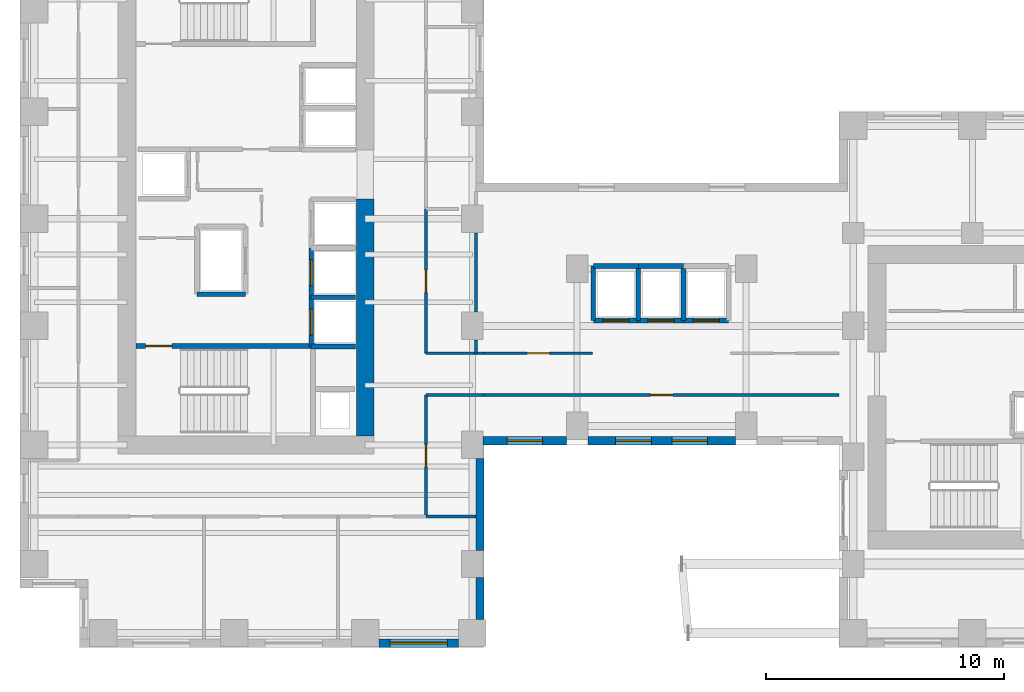
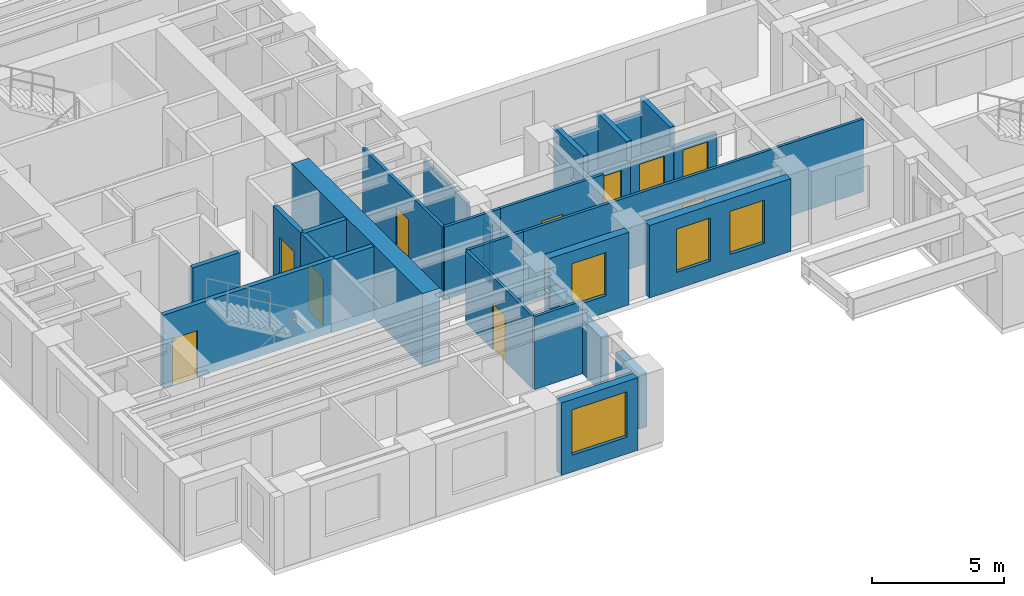
# One storey, part 7 of 14: 29 walls, 10 doors, 4 windows, 14 openings.
"""IFC4 building model written with IfcOpenShell, lengths in metres."""

from ifc_helpers import new_model, si_unit, direction, frame, frame_2d, origin, place, context, subcontext, project, spatial, rectangle, extrude, source, transform, mapped, material, layer, layer_set, type_object, element, fill, save


model = new_model("IFC4")

# Units and contexts
model_context = context("Model", 3, precision=1e-05, world=origin(), true_north=direction((0.0, 1.0)))
body_context = subcontext(model_context, "Body", "Model", "MODEL_VIEW")
ifc_project = project(units=[si_unit("LENGTHUNIT", "METRE"), si_unit("AREAUNIT", "SQUARE_METRE"), si_unit("VOLUMEUNIT", "CUBIC_METRE"), si_unit("PLANEANGLEUNIT", "RADIAN"), si_unit("MASSUNIT", "GRAM", prefix="KILO")], contexts=[model_context])

# Site, building, storey
site_placement = place(None, origin())
site = spatial("IfcSite", under=ifc_project, at=site_placement, CompositionType="ELEMENT")
building_placement = place(site_placement, origin())
building = spatial("IfcBuilding", under=site, at=building_placement, Name="Kharzan Plaza Tower", CompositionType="ELEMENT")
storey_placement = place(building_placement, frame((0.0, 0.0, 131.39990234375)))
storey = spatial("IfcBuildingStorey", under=building, at=storey_placement, Name="L35", CompositionType="ELEMENT", Elevation=131.39990234375)

# Wall, opening, window
ifc_material_1 = material(Name="Concrete C40/50", Category="concrete")
ifc_layer_1 = layer(ifc_material_1, 0.35009765625)
ifc_layer_set_1 = layer_set([ifc_layer_1], Name="Concrete C40/50")
wall_type_1 = type_object("IfcWallType", Name="WL-EXT-MAS-Z2", PredefinedType="SOLIDWALL", material=ifc_layer_set_1)
wall_1_placement = place(storey_placement, frame((15.072998046875, 0.175048828125, 0.0), z_axis=(0.0, 0.0, 1.0), x_axis=(1.0, 0.0, 0.0)))
wall_1 = element("IfcWall", 1, at=wall_1_placement, inside=storey, type_object=wall_type_1, Name="L35 Masonry-Frame Exterior Wall 31", PredefinedType="SOLIDWALL", context=body_context, shape_type="SweptSolid", body=[
    extrude(rectangle(XDim=3.35400390625, YDim=0.35009765625, at=frame_2d((1.677001953125, 0.0))), origin(), (0.0, 0.0, 1.0), 3.364990234375),
])
opening_1_placement = place(wall_1_placement, frame((0.47705078125, 0.0, 0.780029296875)))
opening_1 = element("IfcOpeningElement", 2, at=opening_1_placement, cuts=wall_1, Name="Opening W2", PredefinedType="OPENING", context=body_context, shape_type="SweptSolid", body=[
    extrude(rectangle(XDim=2.39990234375, YDim=2.10009765625, at=frame_2d((1.199951171875, 1.050048828125))), frame((0.0, 0.18505859375, 0.0), z_axis=(0.0, -1.0, 0.0), x_axis=(1.0, 0.0, 0.0)), (0.0, 0.0, 1.0), 0.3701171875),
])
ifc_material_2 = material(Name="Low-E Double Glazing", Category="glass")
window_type_1 = type_object("IfcWindowType", Name="WN-REC-2400x2100", PartitioningType="SINGLE_PANEL", PredefinedType="WINDOW", material=ifc_material_2)
shared_shape_1 = source(origin(), body_context, "Body", "SweptSolid", [
    extrude(rectangle(XDim=2.39990234375, YDim=2.10009765625, at=frame_2d((1.199951171875, 1.050048828125))), frame((0.0, 0.030029296875, 0.0), z_axis=(0.0, -1.0, 0.0), x_axis=(1.0, 0.0, 0.0)), (0.0, 0.0, 1.0), 0.06005859375),
])
window_1_placement = place(opening_1_placement, origin())
window_1 = element("IfcWindow", 3, at=window_1_placement, inside=storey, type_object=window_type_1, Name="L35 Wide Recessed Solar-Control Window 31-1", OverallHeight=2.10009765625, OverallWidth=2.39990234375, PartitioningType="SINGLE_PANEL", PredefinedType="WINDOW", context=body_context, shape_type="MappedRepresentation", body=[
    mapped(shared_shape_1, transform((0.0, 0.0, 0.0), x_axis=(1.0, 0.0, 0.0), y_axis=(0.0, 1.0, 0.0), z_axis=(0.0, 0.0, 1.0))),
])
fill(opening_1, window_1)

wall_2_placement = place(storey_placement, frame((19.447998046875, 8.675048828125, 0.0), z_axis=(0.0, 0.0, 1.0), x_axis=(1.0, 0.0, 0.0)))
wall_2 = element("IfcWall", 4, at=wall_2_placement, inside=storey, type_object=wall_type_1, Name="L35 Masonry-Frame Exterior Wall 34", PredefinedType="SOLIDWALL", context=body_context, shape_type="SweptSolid", body=[
    extrude(rectangle(XDim=3.50390625, YDim=0.35009765625, at=frame_2d((1.751953125, 0.0))), origin(), (0.0, 0.0, 1.0), 3.364990234375),
])
opening_2_placement = place(wall_2_placement, frame((1.001953125, 0.0, 0.780029296875)))
opening_2 = element("IfcOpeningElement", 5, at=opening_2_placement, cuts=wall_2, Name="Opening W5", PredefinedType="OPENING", context=body_context, shape_type="SweptSolid", body=[
    extrude(rectangle(XDim=1.5, YDim=2.0, at=frame_2d((0.75, 1.0))), frame((0.0, 0.18505859375, 0.0), z_axis=(0.0, -1.0, 0.0), x_axis=(1.0, 0.0, 0.0)), (0.0, 0.0, 1.0), 0.3701171875),
])
window_type_2 = type_object("IfcWindowType", Name="WN-SLT-1500x2000", PartitioningType="SINGLE_PANEL", PredefinedType="WINDOW", material=ifc_material_2)
shared_shape_2 = source(origin(), body_context, "Body", "SweptSolid", [
    extrude(rectangle(XDim=1.5, YDim=2.0, at=frame_2d((0.75, 1.0))), frame((0.0, 0.030029296875, 0.0), z_axis=(0.0, -1.0, 0.0), x_axis=(1.0, 0.0, 0.0)), (0.0, 0.0, 1.0), 0.06005859375),
])
window_2_placement = place(opening_2_placement, origin())
window_2 = element("IfcWindow", 6, at=window_2_placement, inside=storey, type_object=window_type_2, Name="L35 Recessed Solar-Control Window 34-1", OverallHeight=2.0, OverallWidth=1.5, PartitioningType="SINGLE_PANEL", PredefinedType="WINDOW", context=body_context, shape_type="MappedRepresentation", body=[
    mapped(shared_shape_2, transform((0.0, 0.0, 0.0), x_axis=(1.0, 0.0, 0.0), y_axis=(0.0, 1.0, 0.0), z_axis=(0.0, 0.0, 1.0))),
])
fill(opening_2, window_2)

# Wall, openings, windows
wall_3_placement = place(storey_placement, frame((23.847900390625, 8.675048828125, 0.0), z_axis=(0.0, 0.0, 1.0), x_axis=(1.0, 0.0, 0.0)))
wall_3 = element("IfcWall", 7, at=wall_3_placement, inside=storey, type_object=wall_type_1, Name="L35 Masonry-Frame Exterior Wall 35", PredefinedType="SOLIDWALL", context=body_context, shape_type="SweptSolid", body=[
    extrude(rectangle(XDim=6.2041015625, YDim=0.35009765625, at=frame_2d((3.10205078125, 0.0))), origin(), (0.0, 0.0, 1.0), 3.364990234375),
])
opening_3_placement = place(wall_3_placement, frame((1.1748046875, 0.0, 0.780029296875)))
opening_3 = element("IfcOpeningElement", 8, at=opening_3_placement, cuts=wall_3, Name="Opening W5", PredefinedType="OPENING", context=body_context, shape_type="SweptSolid", body=[
    extrude(rectangle(XDim=1.5, YDim=2.0, at=frame_2d((0.75, 1.0))), frame((0.0, 0.18505859375, 0.0), z_axis=(0.0, -1.0, 0.0), x_axis=(1.0, 0.0, 0.0)), (0.0, 0.0, 1.0), 0.3701171875),
])
opening_4_placement = place(wall_3_placement, frame((3.529296875, 0.0, 0.780029296875)))
opening_4 = element("IfcOpeningElement", 9, at=opening_4_placement, cuts=wall_3, Name="Opening W5", PredefinedType="OPENING", context=body_context, shape_type="SweptSolid", body=[
    extrude(rectangle(XDim=1.5, YDim=2.0, at=frame_2d((0.75, 1.0))), frame((0.0, 0.18505859375, 0.0), z_axis=(0.0, -1.0, 0.0), x_axis=(1.0, 0.0, 0.0)), (0.0, 0.0, 1.0), 0.3701171875),
])
window_3_placement = place(opening_3_placement, origin())
window_3 = element("IfcWindow", 10, at=window_3_placement, inside=storey, type_object=window_type_2, Name="L35 Recessed Solar-Control Window 35-1", OverallHeight=2.0, OverallWidth=1.5, PartitioningType="SINGLE_PANEL", PredefinedType="WINDOW", context=body_context, shape_type="MappedRepresentation", body=[
    mapped(shared_shape_2, transform((0.0, 0.0, 0.0), x_axis=(1.0, 0.0, 0.0), y_axis=(0.0, 1.0, 0.0), z_axis=(0.0, 0.0, 1.0))),
])
fill(opening_3, window_3)
window_4_placement = place(opening_4_placement, origin())
window_4 = element("IfcWindow", 11, at=window_4_placement, inside=storey, type_object=window_type_2, Name="L35 Recessed Solar-Control Window 35-2", OverallHeight=2.0, OverallWidth=1.5, PartitioningType="SINGLE_PANEL", PredefinedType="WINDOW", context=body_context, shape_type="MappedRepresentation", body=[
    mapped(shared_shape_2, transform((0.0, 0.0, 0.0), x_axis=(1.0, 0.0, 0.0), y_axis=(0.0, 1.0, 0.0), z_axis=(0.0, 0.0, 1.0))),
])
fill(opening_4, window_4)

# Wall, opening, door
ifc_material_3 = material(Name="Fire-Rated Gypsum Board Partition", Category="gypsum")
ifc_layer_2 = layer(ifc_material_3, 0.125)
ifc_layer_set_2 = layer_set([ifc_layer_2], Name="Fire-Rated Gypsum Board Partition")
wall_type_2 = type_object("IfcWallType", Name="WL-INT-PART-125", PredefinedType="PARTITIONING", material=ifc_layer_set_2)
wall_4_placement = place(storey_placement, frame((17.050048828125, 12.35009765625, 0.0), z_axis=(0.0, 0.0, 1.0), x_axis=(0.0, 1.0, 0.0)))
wall_4 = element("IfcWall", 12, at=wall_4_placement, inside=storey, type_object=wall_type_2, Name="L35 Interior Partition SH-AEWN1", PredefinedType="PARTITIONING", context=body_context, shape_type="SweptSolid", body=[
    extrude(rectangle(XDim=6.0498046875, YDim=0.125, at=frame_2d((3.02490234375, 0.0))), origin(), (0.0, 0.0, 1.0), 3.364990234375),
])
opening_5_placement = place(wall_4_placement, frame((2.550048828125, 0.0, 0.0)))
opening_5 = element("IfcOpeningElement", 13, at=opening_5_placement, cuts=wall_4, Name="Opening OD1", PredefinedType="OPENING", context=body_context, shape_type="SweptSolid", body=[
    extrude(rectangle(XDim=0.949951171875, YDim=2.14990234375, at=frame_2d((0.47509765625, 1.074951171875))), frame((0.0, 0.072509765625, 0.0), z_axis=(0.0, -1.0, 0.0), x_axis=(1.0, 0.0, 0.0)), (0.0, 0.0, 1.0), 0.14501953125),
])
ifc_material_4 = material(Name="Acoustic Solid-Core Stained Oak", Category="timber")
door_type_1 = type_object("IfcDoorType", Name="DR-OFF-SINGLE", OperationType="NOTDEFINED", PredefinedType="DOOR", material=ifc_material_4)
shared_shape_3 = source(origin(), body_context, "Body", "SweptSolid", [
    extrude(rectangle(XDim=0.949951171875, YDim=2.14990234375, at=frame_2d((0.47509765625, 1.074951171875))), frame((0.0, 0.02490234375, 0.0), z_axis=(0.0, -1.0, 0.0), x_axis=(1.0, 0.0, 0.0)), (0.0, 0.0, 1.0), 0.050048828125),
])
door_1_placement = place(opening_5_placement, origin())
door_1 = element("IfcDoor", 14, at=door_1_placement, inside=storey, type_object=door_type_1, Name="L35 Slot Collaboration Door", OperationType="SINGLE_SWING_RIGHT", OverallHeight=2.14990234375, OverallWidth=0.949951171875, PredefinedType="DOOR", context=body_context, shape_type="MappedRepresentation", body=[
    mapped(shared_shape_3, transform((0.0, 0.0, 0.0), x_axis=(1.0, 0.0, 0.0), y_axis=(0.0, 1.0, 0.0), z_axis=(0.0, 0.0, 1.0))),
])
fill(opening_5, door_1)

wall_5_placement = place(storey_placement, frame((17.050048828125, 5.5, 0.0), z_axis=(0.0, 0.0, 1.0), x_axis=(0.0, 1.0, 0.0)))
wall_5 = element("IfcWall", 15, at=wall_5_placement, inside=storey, type_object=wall_type_2, Name="L35 Interior Partition SH-AEWS", PredefinedType="PARTITIONING", context=body_context, shape_type="SweptSolid", body=[
    extrude(rectangle(XDim=5.10009765625, YDim=0.125, at=frame_2d((2.550048828125, 0.0))), origin(), (0.0, 0.0, 1.0), 3.364990234375),
])
opening_6_placement = place(wall_5_placement, frame((2.074951171875, 0.0, 0.0)))
opening_6 = element("IfcOpeningElement", 16, at=opening_6_placement, cuts=wall_5, Name="Opening OD1", PredefinedType="OPENING", context=body_context, shape_type="SweptSolid", body=[
    extrude(rectangle(XDim=0.949951171875, YDim=2.14990234375, at=frame_2d((0.47509765625, 1.074951171875))), frame((0.0, 0.072509765625, 0.0), z_axis=(0.0, -1.0, 0.0), x_axis=(1.0, 0.0, 0.0)), (0.0, 0.0, 1.0), 0.14501953125),
])
door_2_placement = place(opening_6_placement, origin())
door_2 = element("IfcDoor", 17, at=door_2_placement, inside=storey, type_object=door_type_1, Name="L35 Slot South Office Door", OperationType="SINGLE_SWING_LEFT", OverallHeight=2.14990234375, OverallWidth=0.949951171875, PredefinedType="DOOR", context=body_context, shape_type="MappedRepresentation", body=[
    mapped(shared_shape_3, transform((0.0, 0.0, 0.0), x_axis=(1.0, 0.0, 0.0), y_axis=(0.0, 1.0, 0.0), z_axis=(0.0, 0.0, 1.0))),
])
fill(opening_6, door_2)

wall_6_placement = place(storey_placement, frame((19.5, 12.35009765625, 0.0), z_axis=(0.0, 0.0, 1.0), x_axis=(1.0, 0.0, 0.0)))
wall_6 = element("IfcWall", 18, at=wall_6_placement, inside=storey, type_object=wall_type_2, Name="L35 Interior Partition SH-SPNW1", PredefinedType="PARTITIONING", context=body_context, shape_type="SweptSolid", body=[
    extrude(rectangle(XDim=4.550048828125, YDim=0.125, at=frame_2d((2.27490234375, 0.0))), origin(), (0.0, 0.0, 1.0), 3.364990234375),
])
opening_7_placement = place(wall_6_placement, frame((1.800048828125, 0.0, 0.0)))
opening_7 = element("IfcOpeningElement", 19, at=opening_7_placement, cuts=wall_6, Name="Opening OD1", PredefinedType="OPENING", context=body_context, shape_type="SweptSolid", body=[
    extrude(rectangle(XDim=0.949951171875, YDim=2.14990234375, at=frame_2d((0.47509765625, 1.074951171875))), frame((0.0, 0.072509765625, 0.0), z_axis=(0.0, -1.0, 0.0), x_axis=(1.0, 0.0, 0.0)), (0.0, 0.0, 1.0), 0.14501953125),
])
door_3_placement = place(opening_7_placement, origin())
door_3 = element("IfcDoor", 20, at=door_3_placement, inside=storey, type_object=door_type_1, Name="L35 North-West Spine Door", OperationType="SINGLE_SWING_LEFT", OverallHeight=2.14990234375, OverallWidth=0.949951171875, PredefinedType="DOOR", context=body_context, shape_type="MappedRepresentation", body=[
    mapped(shared_shape_3, transform((0.0, 0.0, 0.0), x_axis=(1.0, 0.0, 0.0), y_axis=(0.0, 1.0, 0.0), z_axis=(0.0, 0.0, 1.0))),
])
fill(opening_7, door_3)

wall_7_placement = place(storey_placement, frame((19.5, 10.60009765625, 0.0), z_axis=(0.0, 0.0, 1.0), x_axis=(1.0, 0.0, 0.0)))
wall_7 = element("IfcWall", 21, at=wall_7_placement, inside=storey, type_object=wall_type_2, Name="L35 Interior Partition SH-SPS1", PredefinedType="PARTITIONING", context=body_context, shape_type="SweptSolid", body=[
    extrude(rectangle(XDim=14.89990234375, YDim=0.125, at=frame_2d((7.449951171875, 0.0))), origin(), (0.0, 0.0, 1.0), 3.364990234375),
])
opening_8_placement = place(wall_7_placement, frame((6.97509765625, 0.0, 0.0)))
opening_8 = element("IfcOpeningElement", 22, at=opening_8_placement, cuts=wall_7, Name="Opening OD1", PredefinedType="OPENING", context=body_context, shape_type="SweptSolid", body=[
    extrude(rectangle(XDim=0.949951171875, YDim=2.14990234375, at=frame_2d((0.47509765625, 1.074951171875))), frame((0.0, 0.072509765625, 0.0), z_axis=(0.0, -1.0, 0.0), x_axis=(1.0, 0.0, 0.0)), (0.0, 0.0, 1.0), 0.14501953125),
])
door_4_placement = place(opening_8_placement, origin())
door_4 = element("IfcDoor", 23, at=door_4_placement, inside=storey, type_object=door_type_1, Name="L35 South Spine Studio Door", OperationType="SINGLE_SWING_RIGHT", OverallHeight=2.14990234375, OverallWidth=0.949951171875, PredefinedType="DOOR", context=body_context, shape_type="MappedRepresentation", body=[
    mapped(shared_shape_3, transform((0.0, 0.0, 0.0), x_axis=(1.0, 0.0, 0.0), y_axis=(0.0, 1.0, 0.0), z_axis=(0.0, 0.0, 1.0))),
])
fill(opening_8, door_4)

ifc_layer_3 = layer(ifc_material_1, 0.199951171875)
ifc_layer_set_3 = layer_set([ifc_layer_3], Name="Concrete C40/50")
wall_type_3 = type_object("IfcWallType", Name="WL-INT-SHAFT-200", PredefinedType="PARTITIONING", material=ifc_layer_set_3)
wall_8_placement = place(storey_placement, frame((12.22998046875, 12.6298828125, 0.0), z_axis=(0.0, 0.0, 1.0), x_axis=(0.0, 1.0, 0.0)))
wall_8 = element("IfcWall", 24, at=wall_8_placement, inside=storey, type_object=wall_type_3, Name="L35 Interior Partition SHF-PL-H1-W", PredefinedType="PARTITIONING", context=body_context, shape_type="SweptSolid", body=[
    extrude(rectangle(XDim=2.070068359375, YDim=0.199951171875, at=frame_2d((1.03515625, 0.0))), origin(), (0.0, 0.0, 1.0), 3.364990234375),
])
opening_9_placement = place(wall_8_placement, frame((0.485107421875, 0.0, 0.0)))
opening_9 = element("IfcOpeningElement", 25, at=opening_9_placement, cuts=wall_8, Name="Opening LD", PredefinedType="OPENING", context=body_context, shape_type="SweptSolid", body=[
    extrude(rectangle(XDim=1.10009765625, YDim=2.199951171875, at=frame_2d((0.550048828125, 1.10009765625))), frame((0.0, 0.10986328125, 0.0), z_axis=(0.0, -1.0, 0.0), x_axis=(1.0, 0.0, 0.0)), (0.0, 0.0, 1.0), 0.219970703125),
])
ifc_material_5 = material(Name="Brushed Stainless Steel", Category="steel")
door_type_2 = type_object("IfcDoorType", Name="DR-LIFT-SLIDE", OperationType="SLIDING_TO_LEFT", PredefinedType="DOOR", material=ifc_material_5)
shared_shape_4 = source(origin(), body_context, "Body", "SweptSolid", [
    extrude(rectangle(XDim=1.10009765625, YDim=2.199951171875, at=frame_2d((0.550048828125, 1.10009765625))), frame((0.0, 0.02490234375, 0.0), z_axis=(0.0, -1.0, 0.0), x_axis=(1.0, 0.0, 0.0)), (0.0, 0.0, 1.0), 0.050048828125),
])
door_5_placement = place(opening_9_placement, origin())
door_5 = element("IfcDoor", 26, at=door_5_placement, inside=storey, type_object=door_type_2, Name="L35 High-Rise Passenger Lift PL-H1 Sliding Landing Door", OperationType="SLIDING_TO_LEFT", OverallHeight=2.199951171875, OverallWidth=1.10009765625, PredefinedType="DOOR", context=body_context, shape_type="MappedRepresentation", body=[
    mapped(shared_shape_4, transform((0.0, 0.0, 0.0), x_axis=(1.0, 0.0, 0.0), y_axis=(0.0, 1.0, 0.0), z_axis=(0.0, 0.0, 1.0))),
])
fill(opening_9, door_5)

wall_9_placement = place(storey_placement, frame((12.22998046875, 14.699951171875, 0.0), z_axis=(0.0, 0.0, 1.0), x_axis=(0.0, 1.0, 0.0)))
wall_9 = element("IfcWall", 27, at=wall_9_placement, inside=storey, type_object=wall_type_3, Name="L35 Interior Partition SHF-PL-H2-W", PredefinedType="PARTITIONING", context=body_context, shape_type="SweptSolid", body=[
    extrude(rectangle(XDim=2.070068359375, YDim=0.199951171875, at=frame_2d((1.03515625, 0.0))), origin(), (0.0, 0.0, 1.0), 3.364990234375),
])
opening_10_placement = place(wall_9_placement, frame((0.485107421875, 0.0, 0.0)))
opening_10 = element("IfcOpeningElement", 28, at=opening_10_placement, cuts=wall_9, Name="Opening LD", PredefinedType="OPENING", context=body_context, shape_type="SweptSolid", body=[
    extrude(rectangle(XDim=1.10009765625, YDim=2.199951171875, at=frame_2d((0.550048828125, 1.10009765625))), frame((0.0, 0.10986328125, 0.0), z_axis=(0.0, -1.0, 0.0), x_axis=(1.0, 0.0, 0.0)), (0.0, 0.0, 1.0), 0.219970703125),
])
door_6_placement = place(opening_10_placement, origin())
door_6 = element("IfcDoor", 29, at=door_6_placement, inside=storey, type_object=door_type_2, Name="L35 High-Rise Passenger Lift PL-H2 Sliding Landing Door", OperationType="SLIDING_TO_LEFT", OverallHeight=2.199951171875, OverallWidth=1.10009765625, PredefinedType="DOOR", context=body_context, shape_type="MappedRepresentation", body=[
    mapped(shared_shape_4, transform((0.0, 0.0, 0.0), x_axis=(1.0, 0.0, 0.0), y_axis=(0.0, 1.0, 0.0), z_axis=(0.0, 0.0, 1.0))),
])
fill(opening_10, door_6)

wall_10_placement = place(storey_placement, frame((24.080078125, 13.72998046875, 0.0), z_axis=(0.0, 0.0, 1.0), x_axis=(1.0, 0.0, 0.0)))
wall_10 = element("IfcWall", 30, at=wall_10_placement, inside=storey, type_object=wall_type_3, Name="L35 Interior Partition SHF-PL-M1-S", PredefinedType="PARTITIONING", context=body_context, shape_type="SweptSolid", body=[
    extrude(rectangle(XDim=1.889892578125, YDim=0.199951171875, at=frame_2d((0.94482421875, 0.0))), origin(), (0.0, 0.0, 1.0), 2.446044921875),
])
opening_11_placement = place(wall_10_placement, frame((0.39501953125, 0.0, 0.0)))
opening_11 = element("IfcOpeningElement", 31, at=opening_11_placement, cuts=wall_10, Name="Opening LD", PredefinedType="OPENING", context=body_context, shape_type="SweptSolid", body=[
    extrude(rectangle(XDim=1.10009765625, YDim=2.199951171875, at=frame_2d((0.550048828125, 1.10009765625))), frame((0.0, 0.10986328125, 0.0), z_axis=(0.0, -1.0, 0.0), x_axis=(1.0, 0.0, 0.0)), (0.0, 0.0, 1.0), 0.219970703125),
])
door_7_placement = place(opening_11_placement, origin())
door_7 = element("IfcDoor", 32, at=door_7_placement, inside=storey, type_object=door_type_2, Name="L35 Mid-Rise Passenger Lift PL-M1 Sliding Landing Door", OperationType="SLIDING_TO_LEFT", OverallHeight=2.199951171875, OverallWidth=1.10009765625, PredefinedType="DOOR", context=body_context, shape_type="MappedRepresentation", body=[
    mapped(shared_shape_4, transform((0.0, 0.0, 0.0), x_axis=(1.0, 0.0, 0.0), y_axis=(0.0, 1.0, 0.0), z_axis=(0.0, 0.0, 1.0))),
])
fill(opening_11, door_7)

wall_11_placement = place(storey_placement, frame((25.97998046875, 13.72998046875, 0.0), z_axis=(0.0, 0.0, 1.0), x_axis=(1.0, 0.0, 0.0)))
wall_11 = element("IfcWall", 33, at=wall_11_placement, inside=storey, type_object=wall_type_3, Name="L35 Interior Partition SHF-PL-M2-S", PredefinedType="PARTITIONING", context=body_context, shape_type="SweptSolid", body=[
    extrude(rectangle(XDim=1.89013671875, YDim=0.199951171875, at=frame_2d((0.945068359375, 0.0))), origin(), (0.0, 0.0, 1.0), 2.446044921875),
])
opening_12_placement = place(wall_11_placement, frame((0.39501953125, 0.0, 0.0)))
opening_12 = element("IfcOpeningElement", 34, at=opening_12_placement, cuts=wall_11, Name="Opening LD", PredefinedType="OPENING", context=body_context, shape_type="SweptSolid", body=[
    extrude(rectangle(XDim=1.10009765625, YDim=2.199951171875, at=frame_2d((0.550048828125, 1.10009765625))), frame((0.0, 0.10986328125, 0.0), z_axis=(0.0, -1.0, 0.0), x_axis=(1.0, 0.0, 0.0)), (0.0, 0.0, 1.0), 0.219970703125),
])
door_8_placement = place(opening_12_placement, origin())
door_8 = element("IfcDoor", 35, at=door_8_placement, inside=storey, type_object=door_type_2, Name="L35 Mid-Rise Passenger Lift PL-M2 Sliding Landing Door", OperationType="SLIDING_TO_LEFT", OverallHeight=2.199951171875, OverallWidth=1.10009765625, PredefinedType="DOOR", context=body_context, shape_type="MappedRepresentation", body=[
    mapped(shared_shape_4, transform((0.0, 0.0, 0.0), x_axis=(1.0, 0.0, 0.0), y_axis=(0.0, 1.0, 0.0), z_axis=(0.0, 0.0, 1.0))),
])
fill(opening_12, door_8)

wall_12_placement = place(storey_placement, frame((27.8798828125, 13.72998046875, 0.0), z_axis=(0.0, 0.0, 1.0), x_axis=(1.0, 0.0, 0.0)))
wall_12 = element("IfcWall", 36, at=wall_12_placement, inside=storey, type_object=wall_type_3, Name="L35 Interior Partition SHF-PL-M3-S", PredefinedType="PARTITIONING", context=body_context, shape_type="SweptSolid", body=[
    extrude(rectangle(XDim=1.89013671875, YDim=0.199951171875, at=frame_2d((0.945068359375, 0.0))), origin(), (0.0, 0.0, 1.0), 2.446044921875),
])
opening_13_placement = place(wall_12_placement, frame((0.39501953125, 0.0, 0.0)))
opening_13 = element("IfcOpeningElement", 37, at=opening_13_placement, cuts=wall_12, Name="Opening LD", PredefinedType="OPENING", context=body_context, shape_type="SweptSolid", body=[
    extrude(rectangle(XDim=1.10009765625, YDim=2.199951171875, at=frame_2d((0.550048828125, 1.10009765625))), frame((0.0, 0.10986328125, 0.0), z_axis=(0.0, -1.0, 0.0), x_axis=(1.0, 0.0, 0.0)), (0.0, 0.0, 1.0), 0.219970703125),
])
door_9_placement = place(opening_13_placement, origin())
door_9 = element("IfcDoor", 38, at=door_9_placement, inside=storey, type_object=door_type_2, Name="L35 Mid-Rise Passenger Lift PL-M3 Sliding Landing Door", OperationType="SLIDING_TO_LEFT", OverallHeight=2.199951171875, OverallWidth=1.10009765625, PredefinedType="DOOR", context=body_context, shape_type="MappedRepresentation", body=[
    mapped(shared_shape_4, transform((0.0, 0.0, 0.0), x_axis=(1.0, 0.0, 0.0), y_axis=(0.0, 1.0, 0.0), z_axis=(0.0, 0.0, 1.0))),
])
fill(opening_13, door_9)

ifc_material_6 = material(Name="Concrete C50/60", Category="concrete")
ifc_layer_4 = layer(ifc_material_6, 0.199951171875)
ifc_layer_set_4 = layer_set([ifc_layer_4], Name="Concrete C50/60")
wall_type_4 = type_object("IfcWallType", Name="WL-SHAFT-RC200", PredefinedType="SHEAR", material=ifc_layer_set_4)
wall_13_placement = place(storey_placement, frame((4.876953125, 12.655029296875, 0.0), z_axis=(0.0, 0.0, 1.0), x_axis=(1.0, 0.0, 0.0)))
wall_13 = element("IfcWall", 39, at=wall_13_placement, inside=storey, type_object=wall_type_4, Name="L35 Stair ST-1 North RC Shaft Wall", PredefinedType="SHEAR", context=body_context, shape_type="SweptSolid", body=[
    extrude(rectangle(XDim=7.528076171875, YDim=0.199951171875, at=frame_2d((3.76416015625, 0.0))), origin(), (0.0, 0.0, 1.0), 3.380126953125),
])
opening_14_placement = place(wall_13_placement, frame((0.39990234375, 0.0, 0.0)))
opening_14 = element("IfcOpeningElement", 40, at=opening_14_placement, cuts=wall_13, Name="Opening SD1", PredefinedType="OPENING", context=body_context, shape_type="SweptSolid", body=[
    extrude(rectangle(XDim=1.10009765625, YDim=2.14990234375, at=frame_2d((0.550048828125, 1.074951171875))), frame((0.0, 0.10986328125, 0.0), z_axis=(0.0, -1.0, 0.0), x_axis=(1.0, 0.0, 0.0)), (0.0, 0.0, 1.0), 0.219970703125),
])
ifc_material_7 = material(Name="Fire-Rated Hollow Galvanized Steel", Category="steel")
door_type_3 = type_object("IfcDoorType", Name="DR-STAIR-FD120", OperationType="NOTDEFINED", PredefinedType="DOOR", material=ifc_material_7)
shared_shape_5 = source(origin(), body_context, "Body", "SweptSolid", [
    extrude(rectangle(XDim=1.10009765625, YDim=2.14990234375, at=frame_2d((0.550048828125, 1.074951171875))), frame((0.0, 0.02490234375, 0.0), z_axis=(0.0, -1.0, 0.0), x_axis=(1.0, 0.0, 0.0)), (0.0, 0.0, 1.0), 0.050048828125),
])
door_10_placement = place(opening_14_placement, origin())
door_10 = element("IfcDoor", 41, at=door_10_placement, inside=storey, type_object=door_type_3, Name="L35 Stair ST-1 Fire Exit Door", OperationType="SINGLE_SWING_RIGHT", OverallHeight=2.14990234375, OverallWidth=1.10009765625, PredefinedType="DOOR", context=body_context, shape_type="MappedRepresentation", body=[
    mapped(shared_shape_5, transform((0.0, 0.0, 0.0), x_axis=(1.0, 0.0, 0.0), y_axis=(0.0, 1.0, 0.0), z_axis=(0.0, 0.0, 1.0))),
])
fill(opening_14, door_10)

# Walls
shared_shape_6 = source(origin(), body_context, "Body", "SweptSolid", [
    extrude(rectangle(XDim=2.2900390625, YDim=0.199951171875, at=frame_2d((1.14501953125, 0.0))), origin(), (0.0, 0.0, 1.0), 3.364990234375),
])
for number, where, z_axis, x_axis, name in (
    (42, (25.969970703125, 13.72998046875, 0.0), (0.0, 0.0, 1.0), (0.0, 1.0, 0.0), "L35 Interior Partition SHF-PL-M1-E"),
    (43, (24.080078125, 13.72998046875, 0.0), (0.0, 0.0, 1.0), (0.0, 1.0, 0.0), "L35 Interior Partition SHF-PL-M1-W"),
    (44, (27.8701171875, 13.72998046875, 0.0), (0.0, 0.0, 1.0), (0.0, 1.0, 0.0), "L35 Interior Partition SHF-PL-M2-E"),
):
    element("IfcWall", number, at=place(storey_placement, frame(where, z_axis=z_axis, x_axis=x_axis)), inside=storey, type_object=wall_type_3, Name=name, PredefinedType="PARTITIONING", context=body_context, shape_type="MappedRepresentation", body=[
        mapped(shared_shape_6, transform((0.0, 0.0, 0.0), x_axis=(1.0, 0.0, 0.0), y_axis=(0.0, 1.0, 0.0), z_axis=(0.0, 0.0, 1.0))),
    ])
shared_shape_7 = source(origin(), body_context, "Body", "SweptSolid", [
    extrude(rectangle(XDim=2.0400390625, YDim=0.199951171875, at=frame_2d((1.02001953125, 0.0))), origin(), (0.0, 0.0, 1.0), 3.364990234375),
])
wall_14_placement = place(storey_placement, frame((7.429931640625, 14.830078125, 0.0), z_axis=(0.0, 0.0, 1.0), x_axis=(1.0, 0.0, 0.0)))
element("IfcWall", 45, at=wall_14_placement, inside=storey, type_object=wall_type_3, Name="L35 Interior Partition SHF-SVL-1-S", PredefinedType="PARTITIONING", context=body_context, shape_type="MappedRepresentation", body=[
    mapped(shared_shape_7, transform((0.0, 0.0, 0.0), x_axis=(1.0, 0.0, 0.0), y_axis=(0.0, 1.0, 0.0), z_axis=(0.0, 0.0, 1.0))),
])
shared_shape_8 = source(origin(), body_context, "Body", "SweptSolid", [
    extrude(rectangle(XDim=2.097900390625, YDim=0.125, at=frame_2d((1.048828125, 0.0))), origin(), (0.0, 0.0, 1.0), 3.364990234375),
])
wall_15_placement = place(storey_placement, frame((17.050048828125, 5.5, 0.0), z_axis=(0.0, 0.0, 1.0), x_axis=(1.0, 0.0, 0.0)))
element("IfcWall", 46, at=wall_15_placement, inside=storey, type_object=wall_type_2, Name="L35 Interior Partition SH-SSE-3", PredefinedType="PARTITIONING", context=body_context, shape_type="MappedRepresentation", body=[
    mapped(shared_shape_8, transform((0.0, 0.0, 0.0), x_axis=(1.0, 0.0, 0.0), y_axis=(0.0, 1.0, 0.0), z_axis=(0.0, 0.0, 1.0))),
])
shared_shape_9 = source(origin(), body_context, "Body", "SweptSolid", [
    extrude(rectangle(XDim=2.449951171875, YDim=0.125, at=frame_2d((1.22509765625, 0.0))), origin(), (0.0, 0.0, 1.0), 3.364990234375),
])
for number, where, z_axis, x_axis, name in (
    (47, (17.050048828125, 12.35009765625, 0.0), (0.0, 0.0, 1.0), (1.0, 0.0, 0.0), "L35 Interior Partition SH-SPNW0"),
    (48, (17.050048828125, 10.60009765625, 0.0), (0.0, 0.0, 1.0), (1.0, 0.0, 0.0), "L35 Interior Partition SH-SPS0"),
):
    element("IfcWall", number, at=place(storey_placement, frame(where, z_axis=z_axis, x_axis=x_axis)), inside=storey, type_object=wall_type_2, Name=name, PredefinedType="PARTITIONING", context=body_context, shape_type="MappedRepresentation", body=[
        mapped(shared_shape_9, transform((0.0, 0.0, 0.0), x_axis=(1.0, 0.0, 0.0), y_axis=(0.0, 1.0, 0.0), z_axis=(0.0, 0.0, 1.0))),
    ])
ifc_material_8 = material(Name="Concrete C60/75", Category="concrete")
ifc_layer_5 = layer(ifc_material_8, 0.75)
ifc_layer_set_5 = layer_set([ifc_layer_5], Name="Concrete C60/75")
wall_type_5 = type_object("IfcWallType", Name="WL-CORE-750", PredefinedType="SHEAR", material=ifc_layer_set_5)
shared_shape_10 = source(origin(), body_context, "Body", "SweptSolid", [
    extrude(rectangle(XDim=9.945068359375, YDim=0.75, at=frame_2d((4.97265625, 0.0))), origin(), (0.0, 0.0, 1.0), 3.380126953125),
])
wall_16_placement = place(storey_placement, frame((14.5, 8.875, 0.0), z_axis=(0.0, 0.0, 1.0), x_axis=(0.0, 1.0, 0.0)))
element("IfcWall", 49, at=wall_16_placement, inside=storey, type_object=wall_type_5, Name="L35 CORE-A east shear pier 1", PredefinedType="SHEAR", context=body_context, shape_type="MappedRepresentation", body=[
    mapped(shared_shape_10, transform((0.0, 0.0, 0.0), x_axis=(1.0, 0.0, 0.0), y_axis=(0.0, 1.0, 0.0), z_axis=(0.0, 0.0, 1.0))),
])
shared_shape_11 = source(origin(), body_context, "Body", "SweptSolid", [
    extrude(rectangle(XDim=1.75390625, YDim=0.35009765625, at=frame_2d((0.876953125, 0.0))), origin(), (0.0, 0.0, 1.0), 2.51904296875),
])
wall_17_placement = place(storey_placement, frame((19.324951171875, 1.173095703125, 0.0), z_axis=(0.0, 0.0, 1.0), x_axis=(0.0, 1.0, 0.0)))
element("IfcWall", 50, at=wall_17_placement, inside=storey, type_object=wall_type_1, Name="L35 Masonry-Frame Exterior Wall 32", PredefinedType="SOLIDWALL", context=body_context, shape_type="MappedRepresentation", body=[
    mapped(shared_shape_11, transform((0.0, 0.0, 0.0), x_axis=(1.0, 0.0, 0.0), y_axis=(0.0, 1.0, 0.0), z_axis=(0.0, 0.0, 1.0))),
])
shared_shape_12 = source(origin(), body_context, "Body", "SweptSolid", [
    extrude(rectangle(XDim=0.559814453125, YDim=0.125, at=frame_2d((0.27978515625, 0.0))), origin(), (0.0, 0.0, 1.0), 2.677001953125),
])
wall_18_placement = place(storey_placement, frame((19.14990234375, 12.35009765625, 0.0), z_axis=(0.0, 0.0, 1.0), x_axis=(0.0, 1.0, 0.0)))
element("IfcWall", 51, at=wall_18_placement, inside=storey, type_object=wall_type_2, Name="L35 Interior Partition SH-AEN-DIV-S1", PredefinedType="PARTITIONING", context=body_context, shape_type="MappedRepresentation", body=[
    mapped(shared_shape_12, transform((0.0, 0.0, 0.0), x_axis=(1.0, 0.0, 0.0), y_axis=(0.0, 1.0, 0.0), z_axis=(0.0, 0.0, 1.0))),
])
shared_shape_13 = source(origin(), body_context, "Body", "SweptSolid", [
    extrude(rectangle(XDim=3.31982421875, YDim=0.125, at=frame_2d((1.659912109375, 0.0))), origin(), (0.0, 0.0, 1.0), 2.677001953125),
])
wall_19_placement = place(storey_placement, frame((19.14990234375, 14.090087890625, 0.0), z_axis=(0.0, 0.0, 1.0), x_axis=(0.0, 1.0, 0.0)))
element("IfcWall", 52, at=wall_19_placement, inside=storey, type_object=wall_type_2, Name="L35 Interior Partition SH-AEN-DIV-S2", PredefinedType="PARTITIONING", context=body_context, shape_type="MappedRepresentation", body=[
    mapped(shared_shape_13, transform((0.0, 0.0, 0.0), x_axis=(1.0, 0.0, 0.0), y_axis=(0.0, 1.0, 0.0), z_axis=(0.0, 0.0, 1.0))),
])
shared_shape_14 = source(origin(), body_context, "Body", "SweptSolid", [
    extrude(rectangle(XDim=1.864990234375, YDim=0.199951171875, at=frame_2d((0.9326171875, 0.0))), origin(), (0.0, 0.0, 1.0), 3.364990234375),
])
for number, where, z_axis, x_axis, name in (
    (53, (12.22998046875, 14.699951171875, 0.0), (0.0, 0.0, 1.0), (1.0, 0.0, 0.0), "L35 Interior Partition SHF-PL-H1-N"),
    (54, (12.22998046875, 12.6298828125, 0.0), (0.0, 0.0, 1.0), (1.0, 0.0, 0.0), "L35 Interior Partition SHF-PL-H1-S"),
):
    element("IfcWall", number, at=place(storey_placement, frame(where, z_axis=z_axis, x_axis=x_axis)), inside=storey, type_object=wall_type_3, Name=name, PredefinedType="PARTITIONING", context=body_context, shape_type="MappedRepresentation", body=[
        mapped(shared_shape_14, transform((0.0, 0.0, 0.0), x_axis=(1.0, 0.0, 0.0), y_axis=(0.0, 1.0, 0.0), z_axis=(0.0, 0.0, 1.0))),
    ])
shared_shape_15 = source(origin(), body_context, "Body", "SweptSolid", [
    extrude(rectangle(XDim=1.889892578125, YDim=0.199951171875, at=frame_2d((0.94482421875, 0.0))), origin(), (0.0, 0.0, 1.0), 2.677001953125),
])
wall_20_placement = place(storey_placement, frame((24.080078125, 16.02001953125, 0.0), z_axis=(0.0, 0.0, 1.0), x_axis=(1.0, 0.0, 0.0)))
element("IfcWall", 55, at=wall_20_placement, inside=storey, type_object=wall_type_3, Name="L35 Interior Partition SHF-PL-M1-N", PredefinedType="PARTITIONING", context=body_context, shape_type="MappedRepresentation", body=[
    mapped(shared_shape_15, transform((0.0, 0.0, 0.0), x_axis=(1.0, 0.0, 0.0), y_axis=(0.0, 1.0, 0.0), z_axis=(0.0, 0.0, 1.0))),
])
shared_shape_16 = source(origin(), body_context, "Body", "SweptSolid", [
    extrude(rectangle(XDim=1.89013671875, YDim=0.199951171875, at=frame_2d((0.945068359375, 0.0))), origin(), (0.0, 0.0, 1.0), 2.677001953125),
])
wall_21_placement = place(storey_placement, frame((25.97998046875, 16.02001953125, 0.0), z_axis=(0.0, 0.0, 1.0), x_axis=(1.0, 0.0, 0.0)))
element("IfcWall", 56, at=wall_21_placement, inside=storey, type_object=wall_type_3, Name="L35 Interior Partition SHF-PL-M2-N", PredefinedType="PARTITIONING", context=body_context, shape_type="MappedRepresentation", body=[
    mapped(shared_shape_16, transform((0.0, 0.0, 0.0), x_axis=(1.0, 0.0, 0.0), y_axis=(0.0, 1.0, 0.0), z_axis=(0.0, 0.0, 1.0))),
])
shared_shape_17 = source(origin(), body_context, "Body", "SweptSolid", [
    extrude(rectangle(XDim=3.85400390625, YDim=0.35009765625, at=frame_2d((1.927001953125, 0.0))), origin(), (0.0, 0.0, 1.0), 2.51904296875),
])
wall_22_placement = place(storey_placement, frame((19.324951171875, 4.072998046875, 0.0), z_axis=(0.0, 0.0, 1.0), x_axis=(0.0, 1.0, 0.0)))
element("IfcWall", 57, at=wall_22_placement, inside=storey, type_object=wall_type_1, Name="L35 Masonry-Frame Exterior Wall 33", PredefinedType="SOLIDWALL", context=body_context, shape_type="MappedRepresentation", body=[
    mapped(shared_shape_17, transform((0.0, 0.0, 0.0), x_axis=(1.0, 0.0, 0.0), y_axis=(0.0, 1.0, 0.0), z_axis=(0.0, 0.0, 1.0))),
])

save(model, "model.ifc")
